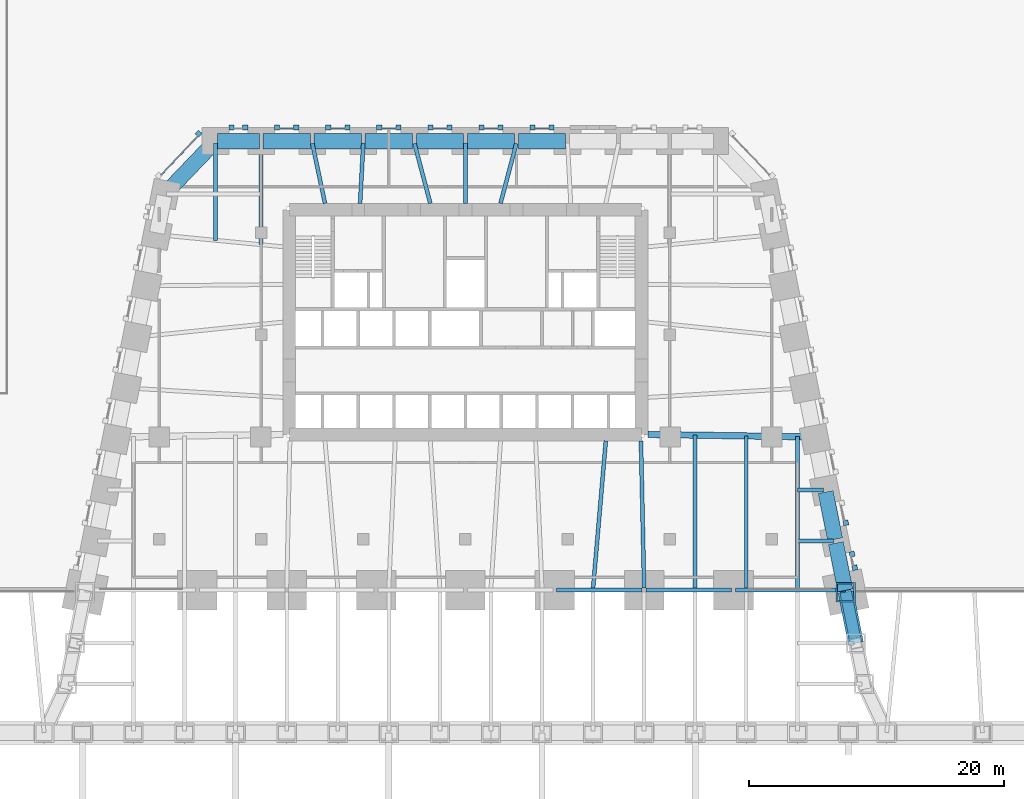
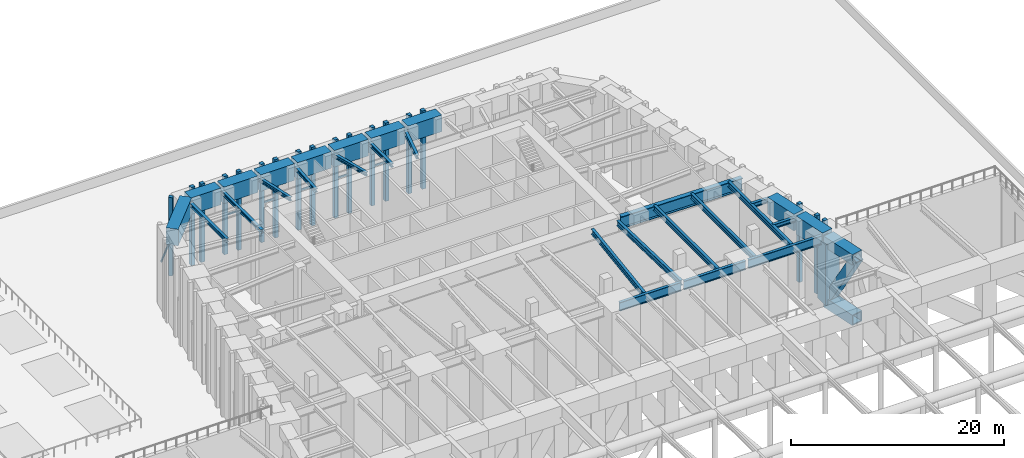
# One storey, part 8 of 20: 29 members, 28 beams, 10 elements without a shape of their own.
"""IFC4 building model written with IfcOpenShell, lengths in metres."""

import ifcopenshell
import ifcopenshell.guid

model = None  # the IFC model being written
_history = None  # IfcOwnerHistory: only IFC2X3 demands one
_inside = {}  # id of a spatial element -> (the spatial element, [elements in it])
_under = {}  # id of a project, library or spatial element -> (it, [spatial elements below it])
_declared = {}  # id of a project -> (the project, [libraries it declares])
_typed = {}  # id of a type object -> (the type object, [elements of that type])
_made_of = {}  # id of a material, layer set ... -> (it, [elements and type objects made of it])


def new_model(schema):
    """Start an empty IFC model of exactly this schema.

    Asked for "IFC4X3", IfcOpenShell would pick the latest addendum, in which some entities
    have other attributes; the version numbers below select the first issue.
    IFC2X3 requires an IfcOwnerHistory on every rooted entity: one is made here for all.
    """
    global model, _history
    if schema == "IFC4X3":
        model = ifcopenshell.file(schema_version=(4, 3, 0, 0))
    else:
        model = ifcopenshell.file(schema=schema)
    _inside.clear()
    _under.clear()
    _declared.clear()
    _typed.clear()
    _made_of.clear()
    _history = None
    if model.schema == "IFC2X3":
        org = make("IfcOrganization", Name="unknown")
        user = make(
            "IfcPersonAndOrganization",
            ThePerson=make("IfcPerson", FamilyName="unknown"),
            TheOrganization=org,
        )
        app = make(
            "IfcApplication",
            ApplicationDeveloper=org,
            Version="unknown",
            ApplicationFullName="unknown",
            ApplicationIdentifier="unknown",
        )
        _history = make(
            "IfcOwnerHistory",
            OwningUser=user,
            OwningApplication=app,
            ChangeAction="ADDED",
            CreationDate=0,
        )
    return model


def make(cls, **values):
    """One entity of the class cls with the attributes given. An attribute that is None is left unset."""
    return model.create_entity(
        cls, **{name: value for name, value in values.items() if value is not None}
    )


def rooted(cls, **values):
    """An entity with a GlobalId (a new one), such as an element, a storey or a relation."""
    return make(cls, GlobalId=ifcopenshell.guid.new(), OwnerHistory=_history, **values)


def si_unit(unit_type, name, prefix=None):
    """IfcSIUnit, for example si_unit("LENGTHUNIT", "METRE", prefix="MILLI")."""
    return make("IfcSIUnit", UnitType=unit_type, Prefix=prefix, Name=name)


def assignment(units):
    """IfcUnitAssignment: the units of a project."""
    return None if units is None else make("IfcUnitAssignment", Units=units)


def point(xyz):
    """IfcCartesianPoint."""
    return None if xyz is None else make("IfcCartesianPoint", Coordinates=xyz)


def direction(xyz):
    """IfcDirection."""
    return None if xyz is None else make("IfcDirection", DirectionRatios=xyz)


def frame(location, z_axis=None, x_axis=None):
    """IfcAxis2Placement3D, a coordinate frame: its origin and axes. An axis left out is left unset."""
    return make(
        "IfcAxis2Placement3D",
        Location=point(location),
        Axis=direction(z_axis),
        RefDirection=direction(x_axis),
    )


def frame_2d(location, x_axis=None):
    """IfcAxis2Placement2D, a coordinate frame in the plane: its origin and x axis."""
    return make(
        "IfcAxis2Placement2D", Location=point(location), RefDirection=direction(x_axis)
    )


def origin():
    """The frame at (0, 0, 0) with its axes left unset."""
    return frame((0.0, 0.0, 0.0))


def origin_2d():
    """The frame at (0, 0) in the plane with its x axis left unset."""
    return frame_2d((0.0, 0.0))


def place(relative_to, where):
    """IfcLocalPlacement: puts the frame where relative to a parent placement (None: the world)."""
    return make(
        "IfcLocalPlacement", PlacementRelTo=relative_to, RelativePlacement=where
    )


def context(
    kind, dimensions, precision=None, world=None, true_north=None, identifier=None
):
    """IfcGeometricRepresentationContext, for example the 3D "Model" context."""
    return make(
        "IfcGeometricRepresentationContext",
        ContextIdentifier=identifier,
        ContextType=kind,
        CoordinateSpaceDimension=dimensions,
        Precision=precision,
        WorldCoordinateSystem=world,
        TrueNorth=true_north,
    )


def subcontext(parent, identifier, kind, view, scale=None):
    """IfcGeometricRepresentationSubContext, for example "Body" below "Model"."""
    return make(
        "IfcGeometricRepresentationSubContext",
        ContextIdentifier=identifier,
        ContextType=kind,
        ParentContext=parent,
        TargetScale=scale,
        TargetView=view,
    )


def project(units=None, contexts=None):
    """IfcProject with its units and contexts."""
    return rooted(
        "IfcProject",
        Name="project",
        RepresentationContexts=contexts,
        UnitsInContext=assignment(units),
    )


def spatial(cls, under=None, at=None, **own):
    """A site, building, storey or space (cls), placed at a placement, below another one or the project."""
    s = rooted(cls, ObjectPlacement=at, **own)
    if under is not None:
        _under.setdefault(under.id(), (under, []))[1].append(s)
    return s


def profile(cls, at=None, kind="AREA", **sizes):
    """A parametric profile (cls). Its sizes go by their IFC names, for example OverallWidth=200.0."""
    return make(cls, ProfileType=kind, Position=at, **sizes)


def rectangle(**sizes):
    """IfcRectangleProfileDef."""
    return profile("IfcRectangleProfileDef", **sizes)


def hollow_rectangle(**sizes):
    """IfcRectangleHollowProfileDef."""
    return profile("IfcRectangleHollowProfileDef", **sizes)


def i_section(**sizes):
    """IfcIShapeProfileDef."""
    return profile("IfcIShapeProfileDef", **sizes)


def extrude(swept, where, along, depth):
    """IfcExtrudedAreaSolid: the profile swept, set in the frame where, extruded along a direction by depth."""
    return make(
        "IfcExtrudedAreaSolid",
        SweptArea=swept,
        Position=where,
        ExtrudedDirection=direction(along),
        Depth=depth,
    )


def shape(context_of_items, identifier, shape_type, items):
    """IfcShapeRepresentation: the items that make up one representation, for example the "Body"."""
    return make(
        "IfcShapeRepresentation",
        ContextOfItems=context_of_items,
        RepresentationIdentifier=identifier,
        RepresentationType=shape_type,
        Items=items,
    )


def material(Name=None, Category=None):
    """IfcMaterial."""
    return make("IfcMaterial", Name=Name, Category=Category)


def material_profile(
    of_material, cross_section, Name=None, Category=None, Priority=None
):
    """IfcMaterialProfile: a cross section and its material."""
    return make(
        "IfcMaterialProfile",
        Name=Name,
        Material=of_material,
        Profile=cross_section,
        Priority=Priority,
        Category=Category,
    )


def profile_set(profiles, Name=None, composite=None):
    """IfcMaterialProfileSet."""
    return make(
        "IfcMaterialProfileSet",
        Name=Name,
        MaterialProfiles=profiles,
        CompositeProfile=composite,
    )


def made_of(thing, what):
    """Note that an element or type object is made of a material, layer set ...; save() writes the relation."""
    if what is not None:
        _made_of.setdefault(what.id(), (what, []))[1].append(thing)
    return thing


def type_object(cls, material=None, **own):
    """A type object (cls), such as IfcWallType, which elements share."""
    return made_of(rooted(cls, **own), material)


def element(
    cls,
    number,
    at=None,
    inside=None,
    cuts=None,
    type_object=None,
    material=None,
    context=None,
    identifier="Body",
    shape_type=None,
    held_by="IfcProductDefinitionShape",
    body=None,
    shapes=None,
    **own,
):
    """One element of the class cls, such as IfcWall. Its Tag is "e" and its number.

    at: its placement. inside: the storey or other place that contains it. cuts: it is an
    opening in that element (IfcRelVoidsElement). A single representation is given by context,
    identifier, shape_type and body (its items); several are given by shapes. held_by: the class
    of the entity that holds the representations. save() writes the other relations.
    """
    e = rooted(cls, Tag="e%d" % number, ObjectPlacement=at, **own)
    if body is not None:
        shapes = [shape(context, identifier, shape_type, body)]
    if shapes is not None:
        e.Representation = make(held_by, Representations=shapes)
    if inside is not None:
        _inside.setdefault(inside.id(), (inside, []))[1].append(e)
    if cuts is not None:
        rooted(
            "IfcRelVoidsElement", RelatingBuildingElement=cuts, RelatedOpeningElement=e
        )
    if type_object is not None:
        _typed.setdefault(type_object.id(), (type_object, []))[1].append(e)
    return made_of(e, material)


def aggregate(whole, parts):
    """IfcRelAggregates: a whole, such as a stair, and the parts it consists of."""
    return rooted("IfcRelAggregates", RelatingObject=whole, RelatedObjects=parts)


def save(model, path):
    """Write the relations noted so far, then the file.

    IfcRelAggregates (storeys below a building ...), IfcRelContainedInSpatialStructure (elements
    in a storey), IfcRelDefinesByType, IfcRelAssociatesMaterial and IfcRelDeclares: one each for
    every whole, place, type object, material and project.
    """
    for whole, parts in _under.values():
        aggregate(whole, parts)
    for where, things in _inside.values():
        rooted(
            "IfcRelContainedInSpatialStructure",
            RelatedElements=things,
            RelatingStructure=where,
        )
    for kind, things in _typed.values():
        rooted("IfcRelDefinesByType", RelatedObjects=things, RelatingType=kind)
    for what, things in _made_of.values():
        rooted("IfcRelAssociatesMaterial", RelatedObjects=things, RelatingMaterial=what)
    for by, libraries in _declared.values():
        rooted("IfcRelDeclares", RelatingContext=by, RelatedDefinitions=libraries)
    model.write(path)


model = new_model("IFC4")

# Units and contexts
model_context = context("Model", 3, precision=1e-05, world=origin(), true_north=direction((0.0, 1.0)))
body_context = subcontext(model_context, "Body", "Model", "MODEL_VIEW")
ifc_project = project(units=[si_unit("LENGTHUNIT", "METRE"), si_unit("AREAUNIT", "SQUARE_METRE"), si_unit("VOLUMEUNIT", "CUBIC_METRE"), si_unit("PLANEANGLEUNIT", "RADIAN"), si_unit("MASSUNIT", "GRAM", prefix="KILO")], contexts=[model_context])

# Site, building, storey
site_placement = place(None, origin())
site = spatial("IfcSite", under=ifc_project, at=site_placement, CompositionType="ELEMENT")
building_placement = place(site_placement, origin())
building = spatial("IfcBuilding", under=site, at=building_placement, Name="Isbrekke Arena Tower", CompositionType="ELEMENT")
storey_placement = place(building_placement, frame((0.0, 0.0, 19.0)))
storey = spatial("IfcBuildingStorey", under=building, at=storey_placement, Name="L03", CompositionType="ELEMENT", Elevation=19.0)

# Beams
ifc_material_1 = material(Name="Steel S355", Category="steel")
ifc_material_profile_1 = material_profile(ifc_material_1, i_section(OverallWidth=0.304931640625, OverallDepth=0.6201171875, WebThickness=0.02099609375, FlangeThickness=0.0400390625, FilletRadius=0.027099609375, at=origin_2d()), Name="HEM 600")
ifc_profile_set_1 = profile_set([ifc_material_profile_1], Name="Steel S355")
beam_type_1 = type_object("IfcBeamType", Name="B4 HEM 600", PredefinedType="BEAM", material=ifc_profile_set_1)
beam_1_placement = place(storey_placement, frame((10.001220703125, -5.8359375, 8.43994140625), z_axis=(0.086257483273, 0.996272877569, 0.0), x_axis=(-0.996272877569, 0.086257483273, 0.0)))
element("IfcBeam", 1, at=beam_1_placement, inside=storey, type_object=beam_type_1, Name="B4 beam C-M10 L03", PredefinedType="BEAM", context=body_context, shape_type="SweptSolid", body=[
    extrude(i_section(OverallWidth=0.304931640625, OverallDepth=0.6201171875, WebThickness=0.02099609375, FlangeThickness=0.0400390625, FilletRadius=0.027099609375, at=origin_2d()), origin(), (0.0, 0.0, 1.0), 11.5791015625),
])
beam_2_placement = place(storey_placement, frame((14.0, -5.8466796875, 8.43994140625), z_axis=(-0.021646264273, 0.999765692171, 0.0), x_axis=(-0.999765692171, -0.021646264273, 0.0)))
element("IfcBeam", 2, at=beam_2_placement, inside=storey, type_object=beam_type_1, Name="B4 beam C-M11 L03", PredefinedType="BEAM", context=body_context, shape_type="SweptSolid", body=[
    extrude(i_section(OverallWidth=0.304931640625, OverallDepth=0.6201171875, WebThickness=0.02099609375, FlangeThickness=0.0400390625, FilletRadius=0.027099609375, at=origin_2d()), origin(), (0.0, 0.0, 1.0), 11.54931640625),
])
beam_3_placement = place(storey_placement, frame((18.0, -5.84912109375, 8.43994140625), z_axis=(0.0, 1.0, 0.0), x_axis=(-1.0, 0.0, 0.0)))
element("IfcBeam", 3, at=beam_3_placement, inside=storey, type_object=beam_type_1, Name="B4 beam C-M12 L03", PredefinedType="BEAM", context=body_context, shape_type="SweptSolid", body=[
    extrude(i_section(OverallWidth=0.304931640625, OverallDepth=0.6201171875, WebThickness=0.02099609375, FlangeThickness=0.0400390625, FilletRadius=0.027099609375, at=origin_2d()), origin(), (0.0, 0.0, 1.0), 11.99267578125),
])
beam_4_placement = place(storey_placement, frame((22.0, -5.84912109375, 8.43994140625), z_axis=(0.0, 1.0, 0.0), x_axis=(-1.0, 0.0, 0.0)))
element("IfcBeam", 4, at=beam_4_placement, inside=storey, type_object=beam_type_1, Name="B4 beam C-M13 L03", PredefinedType="BEAM", context=body_context, shape_type="SweptSolid", body=[
    extrude(i_section(OverallWidth=0.304931640625, OverallDepth=0.6201171875, WebThickness=0.02099609375, FlangeThickness=0.0400390625, FilletRadius=0.027099609375, at=origin_2d()), origin(), (0.0, 0.0, 1.0), 11.931396484375),
])
beam_5_placement = place(storey_placement, frame((26.0, -5.84912109375, 8.43994140625), z_axis=(0.0, 1.0, 0.0), x_axis=(-1.0, 0.0, 0.0)))
element("IfcBeam", 5, at=beam_5_placement, inside=storey, type_object=beam_type_1, Name="B4 beam C-M14 L03", PredefinedType="BEAM", context=body_context, shape_type="SweptSolid", body=[
    extrude(i_section(OverallWidth=0.304931640625, OverallDepth=0.6201171875, WebThickness=0.02099609375, FlangeThickness=0.0400390625, FilletRadius=0.027099609375, at=origin_2d()), origin(), (0.0, 0.0, 1.0), 11.870361328125),
])
ifc_material_2 = material(Name="Steel S355", Category="steel")
ifc_material_profile_2 = material_profile(ifc_material_2, i_section(OverallWidth=0.305908203125, OverallDepth=0.52392578125, WebThickness=0.02099609375, FlangeThickness=0.0400390625, FilletRadius=0.027099609375, at=origin_2d()), Name="HEM 500")
ifc_profile_set_2 = profile_set([ifc_material_profile_2], Name="Steel S355")
beam_type_2 = type_object("IfcBeamType", Name="B5 HEM 500", PredefinedType="BEAM", material=ifc_profile_set_2)
beam_6_placement = place(storey_placement, frame((28.841064453125, -2.161865234375, 8.488037109375), z_axis=(-1.0, 0.0, 0.0), x_axis=(0.0, -1.0, 0.0)))
element("IfcBeam", 6, at=beam_6_placement, inside=storey, type_object=beam_type_2, Name="B5 beam E-E04 L03", PredefinedType="BEAM", context=body_context, shape_type="SweptSolid", body=[
    extrude(i_section(OverallWidth=0.305908203125, OverallDepth=0.52392578125, WebThickness=0.02099609375, FlangeThickness=0.0400390625, FilletRadius=0.027099609375, at=origin_2d()), origin(), (0.0, 0.0, 1.0), 2.841064453125),
])
beam_7_placement = place(storey_placement, frame((28.041015625, 1.838134765625, 8.488037109375), z_axis=(-1.0, 0.0, 0.0), x_axis=(0.0, -1.0, 0.0)))
element("IfcBeam", 7, at=beam_7_placement, inside=storey, type_object=beam_type_2, Name="B5 beam E-E05 L03", PredefinedType="BEAM", context=body_context, shape_type="SweptSolid", body=[
    extrude(i_section(OverallWidth=0.305908203125, OverallDepth=0.52392578125, WebThickness=0.02099609375, FlangeThickness=0.0400390625, FilletRadius=0.027099609375, at=origin_2d()), origin(), (0.0, 0.0, 1.0), 2.041015625),
])
ifc_material_3 = material(Name="Steel S355", Category="steel")
ifc_material_profile_3 = material_profile(ifc_material_3, i_section(OverallWidth=0.306884765625, OverallDepth=0.431884765625, WebThickness=0.02099609375, FlangeThickness=0.0400390625, FilletRadius=0.027099609375, at=origin_2d()), Name="HEM 400")
ifc_profile_set_3 = profile_set([ifc_material_profile_3], Name="Steel S355")
beam_type_3 = type_object("IfcBeamType", Name="B6 HEM 400", PredefinedType="BEAM", material=ifc_profile_set_3)
beam_8_placement = place(storey_placement, frame((-16.0, 29.02490234375, 8.533935546875), z_axis=(0.0, -1.0, 0.0), x_axis=(1.0, 0.0, 0.0)))
element("IfcBeam", 8, at=beam_8_placement, inside=storey, type_object=beam_type_3, Name="B6 beam N-N10 L03", PredefinedType="BEAM", context=body_context, shape_type="SweptSolid", body=[
    extrude(i_section(OverallWidth=0.306884765625, OverallDepth=0.431884765625, WebThickness=0.02099609375, FlangeThickness=0.0400390625, FilletRadius=0.027099609375, at=origin_2d()), origin(), (0.0, 0.0, 1.0), 7.961181640625),
])
beam_9_placement = place(storey_placement, frame((-19.574951171875, 29.02490234375, 8.533935546875), z_axis=(0.0, -1.0, 0.0), x_axis=(1.0, 0.0, 0.0)))
element("IfcBeam", 9, at=beam_9_placement, inside=storey, type_object=beam_type_3, Name="B6 beam N-N11 L03", PredefinedType="BEAM", context=body_context, shape_type="SweptSolid", body=[
    extrude(i_section(OverallWidth=0.306884765625, OverallDepth=0.431884765625, WebThickness=0.02099609375, FlangeThickness=0.0400390625, FilletRadius=0.027099609375, at=origin_2d()), origin(), (0.0, 0.0, 1.0), 7.616943359375),
])
beam_10_placement = place(storey_placement, frame((3.989990234375, 28.987060546875, 8.533935546875), z_axis=(-0.255759685638, -0.966740390799, 0.0), x_axis=(0.966740390799, -0.255759685638, 0.0)))
element("IfcBeam", 10, at=beam_10_placement, inside=storey, type_object=beam_type_3, Name="B6 beam N-N05 L03", PredefinedType="BEAM", context=body_context, shape_type="SweptSolid", body=[
    extrude(i_section(OverallWidth=0.306884765625, OverallDepth=0.431884765625, WebThickness=0.02099609375, FlangeThickness=0.0400390625, FilletRadius=0.027099609375, at=origin_2d()), origin(), (0.0, 0.0, 1.0), 4.84814453125),
])
beam_11_placement = place(storey_placement, frame((0.0, 29.02490234375, 8.533935546875), z_axis=(0.0, -1.0, 0.0), x_axis=(1.0, 0.0, 0.0)))
element("IfcBeam", 11, at=beam_11_placement, inside=storey, type_object=beam_type_3, Name="B6 beam N-N06 L03", PredefinedType="BEAM", context=body_context, shape_type="SweptSolid", body=[
    extrude(i_section(OverallWidth=0.306884765625, OverallDepth=0.431884765625, WebThickness=0.02099609375, FlangeThickness=0.0400390625, FilletRadius=0.027099609375, at=origin_2d()), origin(), (0.0, 0.0, 1.0), 4.724853515625),
])
beam_12_placement = place(storey_placement, frame((-3.989990234375, 28.987060546875, 8.533935546875), z_axis=(0.255759685638, -0.966740390799, 0.0), x_axis=(0.966740390799, 0.255759685638, 0.0)))
element("IfcBeam", 12, at=beam_12_placement, inside=storey, type_object=beam_type_3, Name="B6 beam N-N07 L03", PredefinedType="BEAM", context=body_context, shape_type="SweptSolid", body=[
    extrude(i_section(OverallWidth=0.306884765625, OverallDepth=0.431884765625, WebThickness=0.02099609375, FlangeThickness=0.0400390625, FilletRadius=0.027099609375, at=origin_2d()), origin(), (0.0, 0.0, 1.0), 4.84814453125),
])
beam_13_placement = place(storey_placement, frame((-8.00048828125, 29.016845703125, 8.533935546875), z_axis=(-0.05282469383, -0.998603801175, 0.0), x_axis=(0.998603801175, -0.05282469383, 0.0)))
element("IfcBeam", 13, at=beam_13_placement, inside=storey, type_object=beam_type_3, Name="B6 beam N-N08 L03", PredefinedType="BEAM", context=body_context, shape_type="SweptSolid", body=[
    extrude(i_section(OverallWidth=0.306884765625, OverallDepth=0.431884765625, WebThickness=0.02099609375, FlangeThickness=0.0400390625, FilletRadius=0.027099609375, at=origin_2d()), origin(), (0.0, 0.0, 1.0), 4.723388671875),
])
beam_14_placement = place(storey_placement, frame((-11.993408203125, 28.993896484375, 8.533935546875), z_axis=(0.207054129185, -0.978329488254, 0.0), x_axis=(0.978329488254, 0.207054129185, 0.0)))
element("IfcBeam", 14, at=beam_14_placement, inside=storey, type_object=beam_type_3, Name="B6 beam N-N09 L03", PredefinedType="BEAM", context=body_context, shape_type="SweptSolid", body=[
    extrude(i_section(OverallWidth=0.306884765625, OverallDepth=0.431884765625, WebThickness=0.02099609375, FlangeThickness=0.0400390625, FilletRadius=0.027099609375, at=origin_2d()), origin(), (0.0, 0.0, 1.0), 4.7978515625),
])

# Curtain wall, members
ifc_material_4 = material(Name="Glazed aluminium curtain wall", Category="aluminium")
curtain_wall_type = type_object("IfcCurtainWallType", Name="CWR PLANT LOUVRE WALL", PredefinedType="USERDEFINED", material=ifc_material_4)
curtain_wall_1_placement = place(storey_placement, origin())
curtain_wall_1 = element("IfcCurtainWall", 15, at=curtain_wall_1_placement, inside=storey, type_object=curtain_wall_type, Name="CWR curtain wall L03-E", ObjectType="PLANT LOUVRE WALL", PredefinedType="USERDEFINED")
ifc_material_5 = material(Name="Aluminium mullion, pale brick slip cladding", Category="masonry")
ifc_material_profile_4 = material_profile(ifc_material_5, rectangle(XDim=0.39990234375, YDim=0.39990234375, at=origin_2d()), Name="PIER 400X400")
ifc_profile_set_4 = profile_set([ifc_material_profile_4], Name="Aluminium mullion, pale brick slip cladding")
member_type_1 = type_object("IfcMemberType", Name="CWR-M PIER MULLION 400 x 400", PredefinedType="MULLION", material=ifc_profile_set_4)
member_1_placement = place(storey_placement, frame((30.50244140625, -4.23681640625, 0.0), z_axis=(0.0, 0.0, 1.0), x_axis=(-0.196116135138, 0.980580675691, 0.0)))
member_1 = element("IfcMember", 16, at=member_1_placement, type_object=member_type_1, Name="CWR-M mullion 1", PredefinedType="MULLION", context=body_context, shape_type="SweptSolid", body=[
    extrude(rectangle(XDim=0.39990234375, YDim=0.39990234375, at=origin_2d()), origin(), (0.0, 0.0, 1.0), 9.0),
])
member_2_placement = place(storey_placement, frame((30.290283203125, -3.1767578125, 0.0), z_axis=(0.0, 0.0, 1.0), x_axis=(-0.196116135138, 0.980580675691, 0.0)))
member_2 = element("IfcMember", 17, at=member_2_placement, type_object=member_type_1, Name="CWR-M mullion 2", PredefinedType="MULLION", context=body_context, shape_type="SweptSolid", body=[
    extrude(rectangle(XDim=0.39990234375, YDim=0.39990234375, at=origin_2d()), origin(), (0.0, 0.0, 1.0), 9.0),
])
aggregate(curtain_wall_1, [member_1, member_2])

# Curtain wall, member
curtain_wall_2_placement = place(storey_placement, origin())
curtain_wall_2 = element("IfcCurtainWall", 18, at=curtain_wall_2_placement, inside=storey, type_object=curtain_wall_type, Name="CWR curtain wall L03-E3", ObjectType="PLANT LOUVRE WALL", PredefinedType="USERDEFINED")
member_3_placement = place(storey_placement, frame((29.800048828125, -0.725341796875, 0.0), z_axis=(0.0, 0.0, 1.0), x_axis=(-0.196116135138, 0.980580675691, 0.0)))
member_3 = element("IfcMember", 19, at=member_3_placement, type_object=member_type_1, Name="CWR-M mullion 1", PredefinedType="MULLION", context=body_context, shape_type="SweptSolid", body=[
    extrude(rectangle(XDim=0.39990234375, YDim=0.39990234375, at=origin_2d()), origin(), (0.0, 0.0, 1.0), 9.0),
])
aggregate(curtain_wall_2, [member_3])

# Curtain wall, members
curtain_wall_3_placement = place(storey_placement, origin())
curtain_wall_3 = element("IfcCurtainWall", 20, at=curtain_wall_3_placement, inside=storey, type_object=curtain_wall_type, Name="CWR curtain wall L03-N2", ObjectType="PLANT LOUVRE WALL", PredefinedType="USERDEFINED")
member_4_placement = place(storey_placement, frame((6.751953125, 30.25, 0.0), z_axis=(0.0, 0.0, 1.0), x_axis=(-1.0, 0.0, 0.0)))
member_4 = element("IfcMember", 21, at=member_4_placement, type_object=member_type_1, Name="CWR-M mullion 1", PredefinedType="MULLION", context=body_context, shape_type="SweptSolid", body=[
    extrude(rectangle(XDim=0.39990234375, YDim=0.39990234375, at=origin_2d()), origin(), (0.0, 0.0, 1.0), 9.0),
])
member_5_placement = place(storey_placement, frame((5.25, 30.25, 0.0), z_axis=(0.0, 0.0, 1.0), x_axis=(-1.0, 0.0, 0.0)))
member_5 = element("IfcMember", 22, at=member_5_placement, type_object=member_type_1, Name="CWR-M mullion 2", PredefinedType="MULLION", context=body_context, shape_type="SweptSolid", body=[
    extrude(rectangle(XDim=0.39990234375, YDim=0.39990234375, at=origin_2d()), origin(), (0.0, 0.0, 1.0), 9.0),
])

curtain_wall_4_placement = place(storey_placement, origin())
curtain_wall_4 = element("IfcCurtainWall", 23, at=curtain_wall_4_placement, inside=storey, type_object=curtain_wall_type, Name="CWR curtain wall L03-N23", ObjectType="PLANT LOUVRE WALL", PredefinedType="USERDEFINED")
member_6_placement = place(storey_placement, frame((2.75, 30.25, 0.0), z_axis=(0.0, 0.0, 1.0), x_axis=(-1.0, 0.0, 0.0)))
member_6 = element("IfcMember", 24, at=member_6_placement, type_object=member_type_1, Name="CWR-M mullion 1", PredefinedType="MULLION", context=body_context, shape_type="SweptSolid", body=[
    extrude(rectangle(XDim=0.39990234375, YDim=0.39990234375, at=origin_2d()), origin(), (0.0, 0.0, 1.0), 9.0),
])
member_7_placement = place(storey_placement, frame((1.25, 30.25, 0.0), z_axis=(0.0, 0.0, 1.0), x_axis=(-1.0, 0.0, 0.0)))
member_7 = element("IfcMember", 25, at=member_7_placement, type_object=member_type_1, Name="CWR-M mullion 2", PredefinedType="MULLION", context=body_context, shape_type="SweptSolid", body=[
    extrude(rectangle(XDim=0.39990234375, YDim=0.39990234375, at=origin_2d()), origin(), (0.0, 0.0, 1.0), 9.0),
])

curtain_wall_5_placement = place(storey_placement, origin())
curtain_wall_5 = element("IfcCurtainWall", 26, at=curtain_wall_5_placement, inside=storey, type_object=curtain_wall_type, Name="CWR curtain wall L03-N25", ObjectType="PLANT LOUVRE WALL", PredefinedType="USERDEFINED")
member_8_placement = place(storey_placement, frame((-1.25, 30.25, 0.0), z_axis=(0.0, 0.0, 1.0), x_axis=(-1.0, 0.0, 0.0)))
member_8 = element("IfcMember", 27, at=member_8_placement, type_object=member_type_1, Name="CWR-M mullion 1", PredefinedType="MULLION", context=body_context, shape_type="SweptSolid", body=[
    extrude(rectangle(XDim=0.39990234375, YDim=0.39990234375, at=origin_2d()), origin(), (0.0, 0.0, 1.0), 9.0),
])
member_9_placement = place(storey_placement, frame((-2.75, 30.25, 0.0), z_axis=(0.0, 0.0, 1.0), x_axis=(-1.0, 0.0, 0.0)))
member_9 = element("IfcMember", 28, at=member_9_placement, type_object=member_type_1, Name="CWR-M mullion 2", PredefinedType="MULLION", context=body_context, shape_type="SweptSolid", body=[
    extrude(rectangle(XDim=0.39990234375, YDim=0.39990234375, at=origin_2d()), origin(), (0.0, 0.0, 1.0), 9.0),
])

curtain_wall_6_placement = place(storey_placement, origin())
curtain_wall_6 = element("IfcCurtainWall", 29, at=curtain_wall_6_placement, inside=storey, type_object=curtain_wall_type, Name="CWR curtain wall L03-N27", ObjectType="PLANT LOUVRE WALL", PredefinedType="USERDEFINED")
member_10_placement = place(storey_placement, frame((-5.25, 30.25, 0.0), z_axis=(0.0, 0.0, 1.0), x_axis=(-1.0, 0.0, 0.0)))
member_10 = element("IfcMember", 30, at=member_10_placement, type_object=member_type_1, Name="CWR-M mullion 1", PredefinedType="MULLION", context=body_context, shape_type="SweptSolid", body=[
    extrude(rectangle(XDim=0.39990234375, YDim=0.39990234375, at=origin_2d()), origin(), (0.0, 0.0, 1.0), 9.0),
])
member_11_placement = place(storey_placement, frame((-6.75, 30.25, 0.0), z_axis=(0.0, 0.0, 1.0), x_axis=(-1.0, 0.0, 0.0)))
member_11 = element("IfcMember", 31, at=member_11_placement, type_object=member_type_1, Name="CWR-M mullion 2", PredefinedType="MULLION", context=body_context, shape_type="SweptSolid", body=[
    extrude(rectangle(XDim=0.39990234375, YDim=0.39990234375, at=origin_2d()), origin(), (0.0, 0.0, 1.0), 9.0),
])

curtain_wall_7_placement = place(storey_placement, origin())
curtain_wall_7 = element("IfcCurtainWall", 32, at=curtain_wall_7_placement, inside=storey, type_object=curtain_wall_type, Name="CWR curtain wall L03-N29", ObjectType="PLANT LOUVRE WALL", PredefinedType="USERDEFINED")
member_12_placement = place(storey_placement, frame((-9.25, 30.25, 0.0), z_axis=(0.0, 0.0, 1.0), x_axis=(-1.0, 0.0, 0.0)))
member_12 = element("IfcMember", 33, at=member_12_placement, type_object=member_type_1, Name="CWR-M mullion 1", PredefinedType="MULLION", context=body_context, shape_type="SweptSolid", body=[
    extrude(rectangle(XDim=0.39990234375, YDim=0.39990234375, at=origin_2d()), origin(), (0.0, 0.0, 1.0), 9.0),
])
member_13_placement = place(storey_placement, frame((-10.75, 30.25, 0.0), z_axis=(0.0, 0.0, 1.0), x_axis=(-1.0, 0.0, 0.0)))
member_13 = element("IfcMember", 34, at=member_13_placement, type_object=member_type_1, Name="CWR-M mullion 2", PredefinedType="MULLION", context=body_context, shape_type="SweptSolid", body=[
    extrude(rectangle(XDim=0.39990234375, YDim=0.39990234375, at=origin_2d()), origin(), (0.0, 0.0, 1.0), 9.0),
])

curtain_wall_8_placement = place(storey_placement, origin())
curtain_wall_8 = element("IfcCurtainWall", 35, at=curtain_wall_8_placement, inside=storey, type_object=curtain_wall_type, Name="CWR curtain wall L03-N211", ObjectType="PLANT LOUVRE WALL", PredefinedType="USERDEFINED")
member_14_placement = place(storey_placement, frame((-13.25, 30.25, 0.0), z_axis=(0.0, 0.0, 1.0), x_axis=(-1.0, 0.0, 0.0)))
member_14 = element("IfcMember", 36, at=member_14_placement, type_object=member_type_1, Name="CWR-M mullion 1", PredefinedType="MULLION", context=body_context, shape_type="SweptSolid", body=[
    extrude(rectangle(XDim=0.39990234375, YDim=0.39990234375, at=origin_2d()), origin(), (0.0, 0.0, 1.0), 9.0),
])
member_15_placement = place(storey_placement, frame((-14.75, 30.25, 0.0), z_axis=(0.0, 0.0, 1.0), x_axis=(-1.0, 0.0, 0.0)))
member_15 = element("IfcMember", 37, at=member_15_placement, type_object=member_type_1, Name="CWR-M mullion 2", PredefinedType="MULLION", context=body_context, shape_type="SweptSolid", body=[
    extrude(rectangle(XDim=0.39990234375, YDim=0.39990234375, at=origin_2d()), origin(), (0.0, 0.0, 1.0), 9.0),
])

curtain_wall_9_placement = place(storey_placement, origin())
curtain_wall_9 = element("IfcCurtainWall", 38, at=curtain_wall_9_placement, inside=storey, type_object=curtain_wall_type, Name="CWR curtain wall L03-N213", ObjectType="PLANT LOUVRE WALL", PredefinedType="USERDEFINED")
member_16_placement = place(storey_placement, frame((-17.25, 30.25, 0.0), z_axis=(0.0, 0.0, 1.0), x_axis=(-1.0, 0.0, 0.0)))
member_16 = element("IfcMember", 39, at=member_16_placement, type_object=member_type_1, Name="CWR-M mullion 1", PredefinedType="MULLION", context=body_context, shape_type="SweptSolid", body=[
    extrude(rectangle(XDim=0.39990234375, YDim=0.39990234375, at=origin_2d()), origin(), (0.0, 0.0, 1.0), 9.0),
])
member_17_placement = place(storey_placement, frame((-18.326904296875, 30.25, 0.0), z_axis=(0.0, 0.0, 1.0), x_axis=(-1.0, 0.0, 0.0)))
member_17 = element("IfcMember", 40, at=member_17_placement, type_object=member_type_1, Name="CWR-M mullion 2", PredefinedType="MULLION", context=body_context, shape_type="SweptSolid", body=[
    extrude(rectangle(XDim=0.39990234375, YDim=0.39990234375, at=origin_2d()), origin(), (0.0, 0.0, 1.0), 9.0),
])
aggregate(curtain_wall_9, [member_16, member_17])

# Curtain wall, member
curtain_wall_10_placement = place(storey_placement, origin())
curtain_wall_10 = element("IfcCurtainWall", 41, at=curtain_wall_10_placement, inside=storey, type_object=curtain_wall_type, Name="CWR curtain wall L03-NW", ObjectType="PLANT LOUVRE WALL", PredefinedType="USERDEFINED")
member_18_placement = place(storey_placement, frame((-20.905517578125, 29.75830078125, 0.0), z_axis=(0.0, 0.0, 1.0), x_axis=(-0.68874946192, -0.72499943359, 0.0)))
member_18 = element("IfcMember", 42, at=member_18_placement, type_object=member_type_1, Name="CWR-M mullion 1", PredefinedType="MULLION", context=body_context, shape_type="SweptSolid", body=[
    extrude(rectangle(XDim=0.39990234375, YDim=0.39990234375, at=origin_2d()), origin(), (0.0, 0.0, 1.0), 9.0),
])

# Member
ifc_material_6 = material(Name="Aluminium transom", Category="aluminium")
ifc_material_profile_5 = material_profile(ifc_material_6, rectangle(XDim=0.1201171875, YDim=0.199951171875, at=origin_2d()), Name="TRANSOM 120X200")
ifc_profile_set_5 = profile_set([ifc_material_profile_5], Name="Aluminium transom")
member_type_2 = type_object("IfcMemberType", Name="CWR-T TRANSOM 120 x 200", PredefinedType="USERDEFINED", material=ifc_profile_set_5)
member_19_placement = place(storey_placement, frame((6.552001953125, 30.14990234375, 4.5), z_axis=(-1.0, 0.0, 0.0), x_axis=(0.0, -1.0, 0.0)))
member_19 = element("IfcMember", 43, at=member_19_placement, type_object=member_type_2, Name="CWR-T transom 1", ObjectType="TRANSOM", PredefinedType="USERDEFINED", context=body_context, shape_type="SweptSolid", body=[
    extrude(rectangle(XDim=0.1201171875, YDim=0.199951171875, at=origin_2d()), origin(), (0.0, 0.0, 1.0), 1.10205078125),
])

aggregate(curtain_wall_3, [member_4, member_5, member_19])

member_20_placement = place(storey_placement, frame((2.550048828125, 30.14990234375, 4.5), z_axis=(-1.0, 0.0, 0.0), x_axis=(0.0, -1.0, 0.0)))
member_20 = element("IfcMember", 44, at=member_20_placement, type_object=member_type_2, Name="CWR-T transom 1", ObjectType="TRANSOM", PredefinedType="USERDEFINED", context=body_context, shape_type="SweptSolid", body=[
    extrude(rectangle(XDim=0.1201171875, YDim=0.199951171875, at=origin_2d()), origin(), (0.0, 0.0, 1.0), 1.10009765625),
])

aggregate(curtain_wall_4, [member_6, member_7, member_20])

member_21_placement = place(storey_placement, frame((-1.449951171875, 30.14990234375, 4.5), z_axis=(-1.0, 0.0, 0.0), x_axis=(0.0, -1.0, 0.0)))
member_21 = element("IfcMember", 45, at=member_21_placement, type_object=member_type_2, Name="CWR-T transom 1", ObjectType="TRANSOM", PredefinedType="USERDEFINED", context=body_context, shape_type="SweptSolid", body=[
    extrude(rectangle(XDim=0.1201171875, YDim=0.199951171875, at=origin_2d()), origin(), (0.0, 0.0, 1.0), 1.10009765625),
])

aggregate(curtain_wall_5, [member_8, member_9, member_21])

member_22_placement = place(storey_placement, frame((-5.449951171875, 30.14990234375, 4.5), z_axis=(-1.0, 0.0, 0.0), x_axis=(0.0, -1.0, 0.0)))
member_22 = element("IfcMember", 46, at=member_22_placement, type_object=member_type_2, Name="CWR-T transom 1", ObjectType="TRANSOM", PredefinedType="USERDEFINED", context=body_context, shape_type="SweptSolid", body=[
    extrude(rectangle(XDim=0.1201171875, YDim=0.199951171875, at=origin_2d()), origin(), (0.0, 0.0, 1.0), 1.10009765625),
])

aggregate(curtain_wall_6, [member_10, member_11, member_22])

member_23_placement = place(storey_placement, frame((-9.449951171875, 30.14990234375, 4.5), z_axis=(-1.0, 0.0, 0.0), x_axis=(0.0, -1.0, 0.0)))
member_23 = element("IfcMember", 47, at=member_23_placement, type_object=member_type_2, Name="CWR-T transom 1", ObjectType="TRANSOM", PredefinedType="USERDEFINED", context=body_context, shape_type="SweptSolid", body=[
    extrude(rectangle(XDim=0.1201171875, YDim=0.199951171875, at=origin_2d()), origin(), (0.0, 0.0, 1.0), 1.10009765625),
])

aggregate(curtain_wall_7, [member_12, member_13, member_23])

member_24_placement = place(storey_placement, frame((-13.449951171875, 30.14990234375, 4.5), z_axis=(-1.0, 0.0, 0.0), x_axis=(0.0, -1.0, 0.0)))
member_24 = element("IfcMember", 48, at=member_24_placement, type_object=member_type_2, Name="CWR-T transom 1", ObjectType="TRANSOM", PredefinedType="USERDEFINED", context=body_context, shape_type="SweptSolid", body=[
    extrude(rectangle(XDim=0.1201171875, YDim=0.199951171875, at=origin_2d()), origin(), (0.0, 0.0, 1.0), 1.10009765625),
])

aggregate(curtain_wall_8, [member_14, member_15, member_24])

member_25_placement = place(storey_placement, frame((-20.970703125, 29.54443359375, 4.5), z_axis=(-0.688758782074, -0.724990579329, 0.0), x_axis=(0.724990579329, -0.688758782074, 0.0)))
member_25 = element("IfcMember", 49, at=member_25_placement, type_object=member_type_2, Name="CWR-T transom 1", ObjectType="TRANSOM", PredefinedType="USERDEFINED", context=body_context, shape_type="SweptSolid", body=[
    extrude(rectangle(XDim=0.1201171875, YDim=0.199951171875, at=origin_2d()), origin(), (0.0, 0.0, 1.0), 4.130615234375),
])

aggregate(curtain_wall_10, [member_18, member_25])

# Beams
ifc_material_7 = material(Name="Steel S355", Category="steel")
ifc_material_profile_6 = material_profile(ifc_material_7, i_section(OverallWidth=0.302001953125, OverallDepth=1.008056640625, WebThickness=0.02099609375, FlangeThickness=0.0400390625, FilletRadius=0.030029296875, at=origin_2d()), Name="HEM 1000")
ifc_profile_set_6 = profile_set([ifc_material_profile_6], Name="Steel S355")
beam_type_4 = type_object("IfcBeamType", Name="G1 HEM 1000", PredefinedType="BEAM", material=ifc_profile_set_6)
for number, where, z_axis, x_axis, name in (
    (50, (7.14990234375, -6.0, 8.24609375), (1.0, 0.0, 0.0), (0.0, 1.0, 0.0), "G1 beam G1-06 L03"),
    (51, (14.14990234375, -6.0, 8.24609375), (1.0, 0.0, 0.0), (0.0, 1.0, 0.0), "G1 beam G1-07 L03"),
):
    element("IfcBeam", number, at=place(storey_placement, frame(where, z_axis=z_axis, x_axis=x_axis)), inside=storey, type_object=beam_type_4, Name=name, PredefinedType="BEAM", context=body_context, shape_type="SweptSolid", body=[
        extrude(i_section(OverallWidth=0.302001953125, OverallDepth=1.008056640625, WebThickness=0.02099609375, FlangeThickness=0.0400390625, FilletRadius=0.030029296875, at=origin_2d()), origin(), (0.0, 0.0, 1.0), 6.7001953125),
    ])
beam_15_placement = place(storey_placement, frame((21.14990234375, -6.0, 8.24609375), z_axis=(1.0, 0.0, 0.0), x_axis=(0.0, 1.0, 0.0)))
element("IfcBeam", 52, at=beam_15_placement, inside=storey, type_object=beam_type_4, Name="G1 beam G1-08 L03", PredefinedType="BEAM", context=body_context, shape_type="SweptSolid", body=[
    extrude(i_section(OverallWidth=0.302001953125, OverallDepth=1.008056640625, WebThickness=0.02099609375, FlangeThickness=0.0400390625, FilletRadius=0.030029296875, at=origin_2d()), origin(), (0.0, 0.0, 1.0), 8.64111328125),
])
ifc_material_8 = material(Name="Steel S460", Category="steel")
ifc_material_profile_7 = material_profile(ifc_material_8, i_section(OverallWidth=0.5, OverallDepth=1.39990234375, WebThickness=0.030029296875, FlangeThickness=0.06005859375, at=origin_2d()), Name="PG 1400x500")
ifc_profile_set_7 = profile_set([ifc_material_profile_7], Name="Steel S460")
beam_type_5 = type_object("IfcBeamType", Name="G3 PG 1400x500", PredefinedType="BEAM", material=ifc_profile_set_7)
beam_16_placement = place(storey_placement, frame((14.300048828125, 6.199951171875, 8.050048828125), z_axis=(0.999883305286, -0.015276642609, 0.0), x_axis=(0.015276642609, 0.999883305286, 0.0)))
element("IfcBeam", 53, at=beam_16_placement, inside=storey, type_object=beam_type_5, Name="G3 beam G2-E L03", PredefinedType="BEAM", context=body_context, shape_type="SweptSolid", body=[
    extrude(i_section(OverallWidth=0.5, OverallDepth=1.39990234375, WebThickness=0.030029296875, FlangeThickness=0.06005859375, at=origin_2d()), origin(), (0.0, 0.0, 1.0), 13.088623046875),
])
ifc_material_9 = material(Name="Concrete B90 (C90/105)", Category="concrete")
ifc_material_profile_8 = material_profile(ifc_material_9, rectangle(XDim=1.199951171875, YDim=2.10009765625, at=origin_2d()), Name="RC 1200x2100")
ifc_profile_set_8 = profile_set([ifc_material_profile_8], Name="Concrete B90 (C90/105)")
beam_type_6 = type_object("IfcBeamType", Name="SB10 RC 1200 x 2100", PredefinedType="SPANDREL", material=ifc_profile_set_8)
beam_17_placement = place(storey_placement, frame((29.76171875, -6.0146484375, 7.949951171875), z_axis=(-0.196128558387, 0.980578190959, 0.0), x_axis=(-0.980578190959, -0.196128558387, 0.0)))
element("IfcBeam", 54, at=beam_17_placement, inside=storey, type_object=beam_type_6, Name="SB10 spandrel E03-E04 L03", PredefinedType="SPANDREL", context=body_context, shape_type="SweptSolid", body=[
    extrude(rectangle(XDim=1.199951171875, YDim=2.10009765625, at=origin_2d()), origin(), (0.0, 0.0, 1.0), 3.779296875),
])
ifc_material_10 = material(Name="Concrete B90 (C90/105)", Category="concrete")
ifc_material_profile_9 = material_profile(ifc_material_10, rectangle(XDim=1.199951171875, YDim=1.89990234375, at=origin_2d()), Name="RC 1200x1900")
ifc_profile_set_9 = profile_set([ifc_material_profile_9], Name="Concrete B90 (C90/105)")
beam_type_7 = type_object("IfcBeamType", Name="SB9 RC 1200 x 1900", PredefinedType="SPANDREL", material=ifc_profile_set_9)
beam_18_placement = place(storey_placement, frame((28.961669921875, -2.0146484375, 8.050048828125), z_axis=(-0.196128558387, 0.980578190959, 0.0), x_axis=(-0.980578190959, -0.196128558387, 0.0)))
element("IfcBeam", 55, at=beam_18_placement, inside=storey, type_object=beam_type_7, Name="SB9 spandrel E04-E05 L03", PredefinedType="SPANDREL", context=body_context, shape_type="SweptSolid", body=[
    extrude(rectangle(XDim=1.199951171875, YDim=1.89990234375, at=origin_2d()), origin(), (0.0, 0.0, 1.0), 3.779296875),
])
for number, where, z_axis, x_axis, name in (
    (56, (7.85009765625, 29.175048828125, 8.050048828125), (-1.0, 0.0, 0.0), (0.0, -1.0, 0.0), "SB9 spandrel N04-N05 L03"),
    (57, (3.85009765625, 29.175048828125, 8.050048828125), (-1.0, 0.0, 0.0), (0.0, -1.0, 0.0), "SB9 spandrel N05-N06 L03"),
    (58, (-0.14990234375, 29.175048828125, 8.050048828125), (-1.0, 0.0, 0.0), (0.0, -1.0, 0.0), "SB9 spandrel N06-N07 L03"),
    (59, (-4.14990234375, 29.175048828125, 8.050048828125), (-1.0, 0.0, 0.0), (0.0, -1.0, 0.0), "SB9 spandrel N07-N08 L03"),
    (60, (-8.14990234375, 29.175048828125, 8.050048828125), (-1.0, 0.0, 0.0), (0.0, -1.0, 0.0), "SB9 spandrel N08-N09 L03"),
    (61, (-12.14990234375, 29.175048828125, 8.050048828125), (-1.0, 0.0, 0.0), (0.0, -1.0, 0.0), "SB9 spandrel N09-N10 L03"),
):
    element("IfcBeam", number, at=place(storey_placement, frame(where, z_axis=z_axis, x_axis=x_axis)), inside=storey, type_object=beam_type_7, Name=name, PredefinedType="SPANDREL", context=body_context, shape_type="SweptSolid", body=[
        extrude(rectangle(XDim=1.199951171875, YDim=1.89990234375, at=origin_2d()), origin(), (0.0, 0.0, 1.0), 3.7001953125),
    ])
beam_19_placement = place(storey_placement, frame((-16.14990234375, 29.175048828125, 8.050048828125), z_axis=(-1.0, 0.0, 0.0), x_axis=(0.0, -1.0, 0.0)))
element("IfcBeam", 62, at=beam_19_placement, inside=storey, type_object=beam_type_7, Name="SB9 spandrel N10-N11 L03", PredefinedType="SPANDREL", context=body_context, shape_type="SweptSolid", body=[
    extrude(rectangle(XDim=1.199951171875, YDim=1.89990234375, at=origin_2d()), origin(), (0.0, 0.0, 1.0), 3.275146484375),
])
beam_20_placement = place(storey_placement, frame((-19.678955078125, 29.066650390625, 8.050048828125), z_axis=(-0.692339547635, -0.721571861134, 0.0), x_axis=(0.721571861134, -0.692339547635, 0.0)))
element("IfcBeam", 63, at=beam_20_placement, inside=storey, type_object=beam_type_7, Name="SB9 spandrel N11-W01 L03", PredefinedType="SPANDREL", context=body_context, shape_type="SweptSolid", body=[
    extrude(rectangle(XDim=1.199951171875, YDim=1.89990234375, at=origin_2d()), origin(), (0.0, 0.0, 1.0), 5.4453125),
])

# Members
ifc_material_11 = material(Name="Steel S460", Category="steel")
ifc_material_profile_10 = material_profile(ifc_material_11, hollow_rectangle(XDim=1.5, YDim=1.5, WallThickness=0.1201171875, at=origin_2d()), Name="BOX 1500x1500x120")
ifc_profile_set_10 = profile_set([ifc_material_profile_10], Name="Steel S460")
member_type_3 = type_object("IfcMemberType", Name="TT2 BOX 1500x1500x120", PredefinedType="POST", material=ifc_profile_set_10)
member_26_placement = place(storey_placement, frame((29.791015625, -6.161865234375, 1.199951171875), z_axis=(0.0, 0.0, 1.0), x_axis=(1.0, 0.0, 0.0)))
element("IfcMember", 64, at=member_26_placement, inside=storey, type_object=member_type_3, Name="TT2 side transfer truss E post 4", PredefinedType="POST", context=body_context, shape_type="SweptSolid", body=[
    extrude(hollow_rectangle(XDim=1.5, YDim=1.5, WallThickness=0.1201171875, at=origin_2d()), origin(), (0.0, 0.0, 1.0), 6.949951171875),
])
ifc_material_12 = material(Name="Steel S460", Category="steel")
ifc_material_profile_11 = material_profile(ifc_material_12, hollow_rectangle(XDim=1.199951171875, YDim=1.199951171875, WallThickness=0.10009765625, at=origin_2d()), Name="BOX 1200x1200x100")
ifc_profile_set_11 = profile_set([ifc_material_profile_11], Name="Steel S460")
member_type_4 = type_object("IfcMemberType", Name="TT4 BOX 1200x1200x100", PredefinedType="CHORD", material=ifc_profile_set_11)
for number, where, z_axis, x_axis, name in (
    (65, (30.591064453125, -10.161865234375, 1.199951171875), (-0.196127644693, 0.98057837371, 0.0), (-0.98057837371, -0.196127644693, 0.0), "TT2 side transfer truss E bottom chord 3"),
    (66, (30.591064453125, -10.161865234375, 8.14990234375), (-0.196127644693, 0.98057837371, 0.0), (-0.98057837371, -0.196127644693, 0.0), "TT2 side transfer truss E top chord 3"),
):
    element("IfcMember", number, at=place(storey_placement, frame(where, z_axis=z_axis, x_axis=x_axis)), inside=storey, type_object=member_type_4, Name=name, PredefinedType="CHORD", context=body_context, shape_type="SweptSolid", body=[
        extrude(hollow_rectangle(XDim=1.199951171875, YDim=1.199951171875, WallThickness=0.10009765625, at=origin_2d()), origin(), (0.0, 0.0, 1.0), 4.079345703125),
    ])
ifc_material_13 = material(Name="Steel S460", Category="steel")
ifc_material_profile_12 = material_profile(ifc_material_13, hollow_rectangle(XDim=0.89990234375, YDim=0.89990234375, WallThickness=0.06005859375, at=origin_2d()), Name="BOX 900x900x60")
ifc_profile_set_12 = profile_set([ifc_material_profile_12], Name="Steel S460")
member_type_5 = type_object("IfcMemberType", Name="TT5 BOX 900x900x60", PredefinedType="BRACE", material=ifc_profile_set_12)
member_27_placement = place(storey_placement, frame((30.591064453125, -10.161865234375, 8.14990234375), z_axis=(-0.099278224148, 0.496360825278, -0.862420874828), x_axis=(-0.98057837371, -0.196127644693, 0.0)))
element("IfcMember", 67, at=member_27_placement, inside=storey, type_object=member_type_5, Name="TT2 side transfer truss E diagonal 3", PredefinedType="BRACE", context=body_context, shape_type="SweptSolid", body=[
    extrude(hollow_rectangle(XDim=0.89990234375, YDim=0.89990234375, WallThickness=0.06005859375, at=origin_2d()), origin(), (0.0, 0.0, 1.0), 8.05859375),
])

save(model, "model.ifc")
